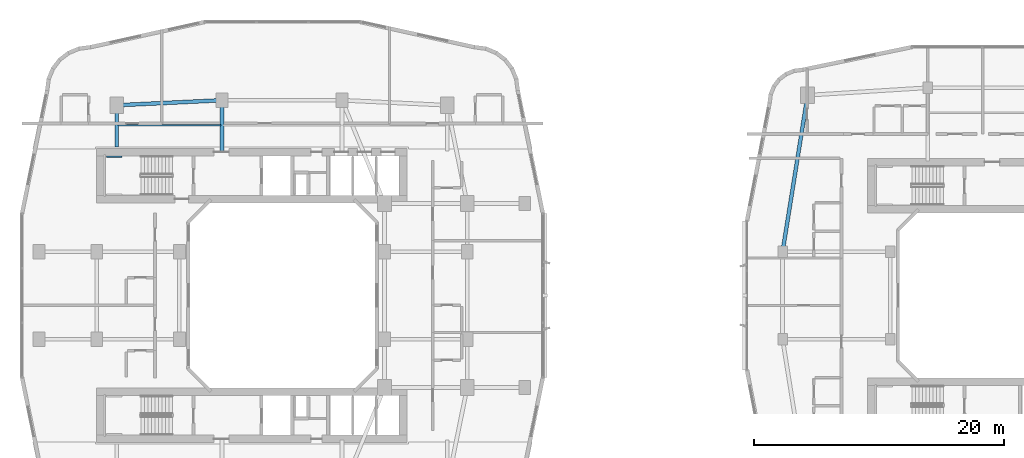
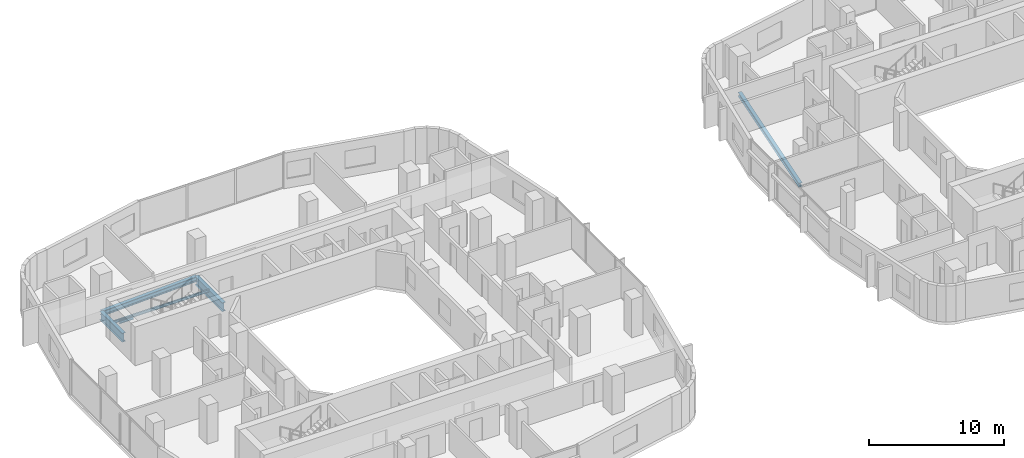
# One storey, part 6 of 26: 6 beams.
"""IFC4 building model written with IfcOpenShell, lengths in metres."""

from ifc_helpers import new_model, si_unit, derived_unit, direction, frame, origin, origin_2d, place, context, subcontext, project, spatial, i_section, extrude, material, material_profile, profile_set, type_object, element, save


model = new_model("IFC4")

# Units and contexts
model_context = context("Model", 3, precision=1e-05, world=origin(), true_north=direction((0.0, 1.0)))
body_context = subcontext(model_context, "Body", "Model", "MODEL_VIEW")
ifc_project = project(units=[si_unit("LENGTHUNIT", "METRE"), si_unit("AREAUNIT", "SQUARE_METRE"), si_unit("VOLUMEUNIT", "CUBIC_METRE"), si_unit("PLANEANGLEUNIT", "RADIAN"), si_unit("MASSUNIT", "GRAM", prefix="KILO"), derived_unit("THERMALTRANSMITTANCEUNIT", [(si_unit("POWERUNIT", "WATT"), 1), (si_unit("LENGTHUNIT", "METRE"), -2), (si_unit("THERMODYNAMICTEMPERATUREUNIT", "KELVIN"), -1)])], contexts=[model_context])

# Site, building, storey
site_placement = place(None, origin())
site = spatial("IfcSite", under=ifc_project, at=site_placement, CompositionType="ELEMENT")
building_placement = place(site_placement, origin())
building = spatial("IfcBuilding", under=site, at=building_placement, Name="Kivonza Crest Hotel", CompositionType="ELEMENT")
storey_placement = place(building_placement, frame((0.0, 0.0, 52.0)))
storey = spatial("IfcBuildingStorey", under=building, at=storey_placement, Name="L13", CompositionType="ELEMENT", Elevation=52.0)

# Beams
ifc_material = material(Name="Steel S355", Category="steel")
ifc_material_profile_1 = material_profile(ifc_material, i_section(OverallWidth=0.300048828125, OverallDepth=0.360107421875, WebThickness=0.012451171875, FlangeThickness=0.0224609375, FilletRadius=0.027099609375, at=origin_2d()), Name="HEB 360")
ifc_profile_set_1 = profile_set([ifc_material_profile_1], Name="Steel S355")
beam_type_1 = type_object("IfcBeamType", Name="BM-HEB360", PredefinedType="SPANDREL", material=ifc_profile_set_1)
beam_1_placement = place(storey_placement, frame((63.0, 41.0, -0.429931640625), z_axis=(-0.157990501107, -0.987440631917, 0.0), x_axis=(0.987440631917, -0.157990501107, 0.0)))
element("IfcBeam", 1, at=beam_1_placement, inside=storey, type_object=beam_type_1, Name="Companion Tower T2 L13 perimeter spandrel NW-W2", PredefinedType="SPANDREL", context=body_context, shape_type="SweptSolid", body=[
    extrude(i_section(OverallWidth=0.300048828125, OverallDepth=0.360107421875, WebThickness=0.012451171875, FlangeThickness=0.0224609375, FilletRadius=0.027099609375, at=origin_2d()), origin(), (0.0, 0.0, 1.0), 12.658935546875),
])
ifc_material_profile_2 = material_profile(ifc_material, i_section(OverallWidth=0.300048828125, OverallDepth=0.449951171875, WebThickness=0.013916015625, FlangeThickness=0.02587890625, FilletRadius=0.027099609375, at=origin_2d()), Name="HEB 450")
ifc_profile_set_2 = profile_set([ifc_material_profile_2], Name="Steel S355")
beam_type_2 = type_object("IfcBeamType", Name="BM-HEB450", PredefinedType="SPANDREL", material=ifc_profile_set_2)
beam_2_placement = place(storey_placement, frame((16.199951171875, 40.60009765625, -0.5048828125), z_axis=(-0.998867283688, -0.047583080799, 0.0), x_axis=(0.047583080799, -0.998867283688, 0.0)))
element("IfcBeam", 2, at=beam_2_placement, inside=storey, type_object=beam_type_2, Name="Tower T1 L13 perimeter spandrel N1-NW", PredefinedType="SPANDREL", context=body_context, shape_type="SweptSolid", body=[
    extrude(i_section(OverallWidth=0.300048828125, OverallDepth=0.449951171875, WebThickness=0.013916015625, FlangeThickness=0.02587890625, FilletRadius=0.027099609375, at=origin_2d()), origin(), (0.0, 0.0, 1.0), 8.409423828125),
])
ifc_material_profile_3 = material_profile(ifc_material, i_section(OverallWidth=0.300048828125, OverallDepth=0.800048828125, WebThickness=0.017578125, FlangeThickness=0.032958984375, FilletRadius=0.030029296875, at=origin_2d()), Name="HEB 800")
ifc_profile_set_3 = profile_set([ifc_material_profile_3], Name="Steel S355")
beam_type_3 = type_object("IfcBeamType", Name="BM-HEB800", PredefinedType="BEAM", material=ifc_profile_set_3)
beam_3_placement = place(storey_placement, frame((7.800048828125, 40.199951171875, -0.679931640625), z_axis=(0.0, -1.0, 0.0), x_axis=(1.0, 0.0, 0.0)))
element("IfcBeam", 3, at=beam_3_placement, inside=storey, type_object=beam_type_3, Name="Tower T1 L13 radial core girder RNW", PredefinedType="BEAM", context=body_context, shape_type="SweptSolid", body=[
    extrude(i_section(OverallWidth=0.300048828125, OverallDepth=0.800048828125, WebThickness=0.017578125, FlangeThickness=0.032958984375, FilletRadius=0.030029296875, at=origin_2d()), origin(), (0.0, 0.0, 1.0), 3.349853515625),
])
beam_4_placement = place(storey_placement, frame((16.199951171875, 40.60009765625, -0.679931640625), z_axis=(0.0, -1.0, 0.0), x_axis=(1.0, 0.0, 0.0)))
element("IfcBeam", 4, at=beam_4_placement, inside=storey, type_object=beam_type_3, Name="Tower T1 L13 radial core girder RN1", PredefinedType="BEAM", context=body_context, shape_type="SweptSolid", body=[
    extrude(i_section(OverallWidth=0.300048828125, OverallDepth=0.800048828125, WebThickness=0.017578125, FlangeThickness=0.032958984375, FilletRadius=0.030029296875, at=origin_2d()), origin(), (0.0, 0.0, 1.0), 4.050048828125),
])
ifc_material_profile_4 = material_profile(ifc_material, i_section(OverallWidth=0.1201171875, OverallDepth=0.239990234375, WebThickness=0.006103515625, FlangeThickness=0.009765625, FilletRadius=0.014892578125, at=origin_2d()), Name="IPE 240")
ifc_profile_set_4 = profile_set([ifc_material_profile_4], Name="Steel S355")
beam_type_4 = type_object("IfcBeamType", Name="BM-IPE240", PredefinedType="JOIST", material=ifc_profile_set_4)
beam_5_placement = place(storey_placement, frame((7.8798828125, 38.60009765625, -0.39990234375), z_axis=(1.0, 0.0, 0.0), x_axis=(0.0, 1.0, 0.0)))
element("IfcBeam", 5, at=beam_5_placement, inside=storey, type_object=beam_type_4, Name="Tower T1 L13 North-West floor joist", PredefinedType="JOIST", context=body_context, shape_type="SweptSolid", body=[
    extrude(i_section(OverallWidth=0.1201171875, OverallDepth=0.239990234375, WebThickness=0.006103515625, FlangeThickness=0.009765625, FilletRadius=0.014892578125, at=origin_2d()), origin(), (0.0, 0.0, 1.0), 8.240234375),
])
ifc_material_profile_5 = material_profile(ifc_material, i_section(OverallWidth=0.1201171875, OverallDepth=0.239990234375, WebThickness=0.006103515625, FlangeThickness=0.009765625, FilletRadius=0.014892578125, at=origin_2d()), Name="IPE 240")
ifc_profile_set_5 = profile_set([ifc_material_profile_5], Name="Steel S355")
beam_type_5 = type_object("IfcBeamType", Name="BM-LLDG-240", PredefinedType="BEAM", material=ifc_profile_set_5)
beam_6_placement = place(storey_placement, frame((6.989990234375, 36.10009765625, 1.429931640625), z_axis=(1.0, 0.0, 0.0), x_axis=(0.0, 1.0, 0.0)))
element("IfcBeam", 6, at=beam_6_placement, inside=storey, type_object=beam_type_5, Name="Stair ST-T1-N L13 North landing corbel", PredefinedType="BEAM", context=body_context, shape_type="SweptSolid", body=[
    extrude(i_section(OverallWidth=0.1201171875, OverallDepth=0.239990234375, WebThickness=0.006103515625, FlangeThickness=0.009765625, FilletRadius=0.014892578125, at=origin_2d()), origin(), (0.0, 0.0, 1.0), 1.2099609375),
])

save(model, "model.ifc")
